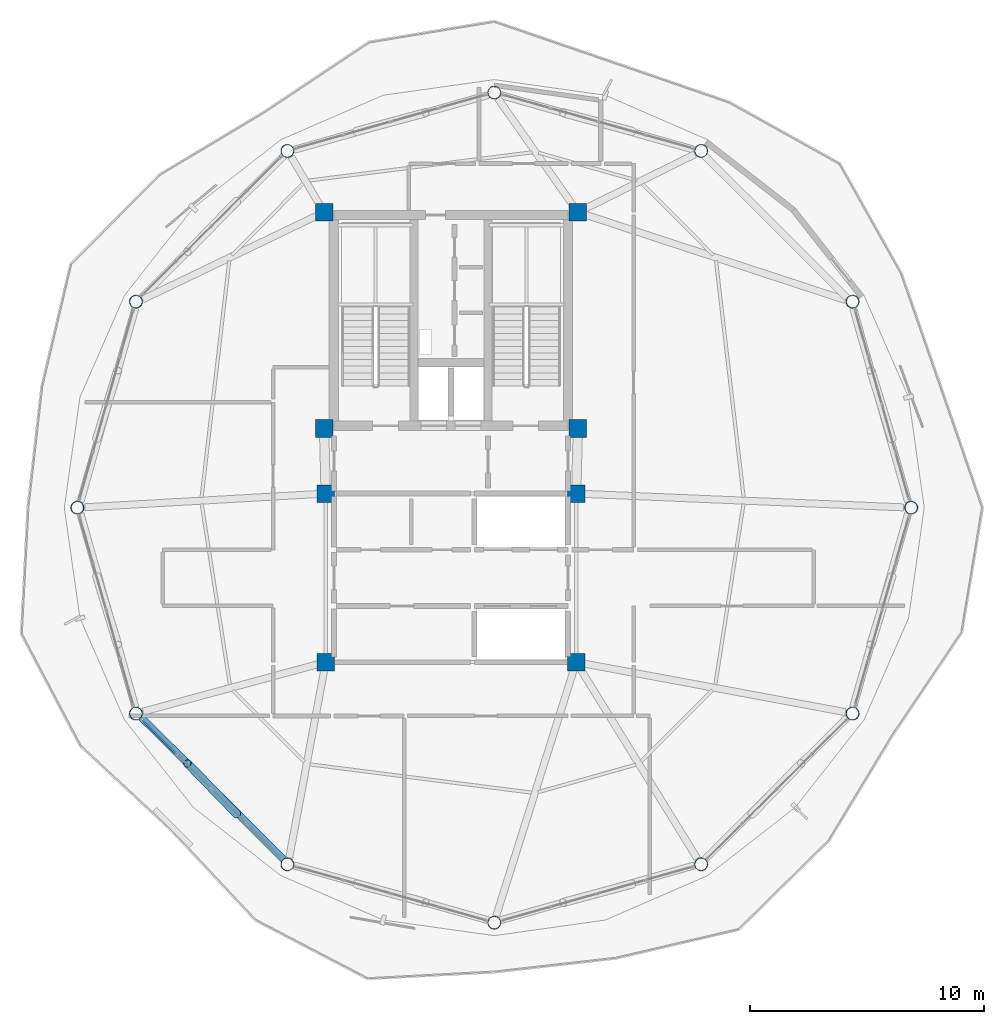
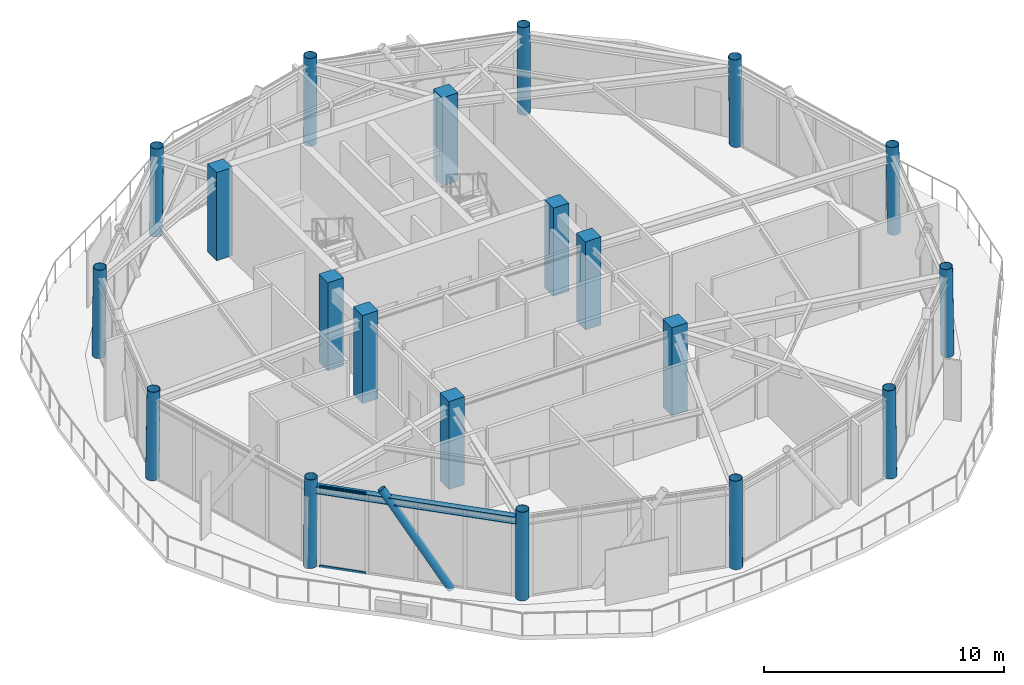
# One storey, part 1 of 24: 20 columns, 3 members, 1 beam, 1 element without a shape of its own.
"""IFC4 building model written with IfcOpenShell, lengths in metres."""

from ifc_helpers import new_model, si_unit, direction, frame, origin, origin_2d, place, context, subcontext, project, spatial, rectangle, hollow_rectangle, hollow_circle, i_section, extrude, material, layer, layer_set, material_profile, profile_set, type_object, element, aggregate, save


model = new_model("IFC4")

# Units and contexts
model_context = context("Model", 3, precision=1e-05, world=origin(), true_north=direction((0.0, 1.0)))
body_context = subcontext(model_context, "Body", "Model", "MODEL_VIEW")
ifc_project = project(units=[si_unit("LENGTHUNIT", "METRE"), si_unit("AREAUNIT", "SQUARE_METRE"), si_unit("VOLUMEUNIT", "CUBIC_METRE"), si_unit("PLANEANGLEUNIT", "RADIAN"), si_unit("MASSUNIT", "GRAM", prefix="KILO")], contexts=[model_context])

# Site, building, storey
site_placement = place(None, origin())
site = spatial("IfcSite", under=ifc_project, at=site_placement, CompositionType="ELEMENT")
building_placement = place(site_placement, origin())
building = spatial("IfcBuilding", under=site, at=building_placement, Name="Varnakorn Sky Granary", CompositionType="ELEMENT")
storey_placement = place(building_placement, frame((0.0, 0.0, 285.0)))
storey = spatial("IfcBuildingStorey", under=building, at=storey_placement, Name="L73", CompositionType="ELEMENT", Elevation=285.0)

# Columns
ifc_material_1 = material(Name="Steel S460M", Category="steel")
ifc_material_profile_1 = material_profile(ifc_material_1, hollow_circle(Radius=0.279541015625, WallThickness=0.02001953125, at=origin_2d()), Name="CHS 559x20")
ifc_profile_set_1 = profile_set([ifc_material_profile_1], Name="Steel S460M")
column_type_1 = type_object("IfcColumnType", Name="COL-DC-Z5", PredefinedType="COLUMN", material=ifc_profile_set_1)
for number, where, z_axis, x_axis, name in (
    (1, (22.66796875, 0.0, 0.0), (-0.015164649907, 0.0, 0.999885010085), (0.0, -1.0, 0.0), "Drum Perimeter Column DC01 L73"),
    (2, (20.163818359375, 8.799560546875, 0.0), (-0.013146612957, -0.003818518286, 0.999906288352), (0.278928739366, -0.960311802674, 0.0), "Drum Perimeter Column DC02 L73"),
):
    element("IfcColumn", number, at=place(storey_placement, frame(where, z_axis=z_axis, x_axis=x_axis)), inside=storey, type_object=column_type_1, Name=name, PredefinedType="COLUMN", context=body_context, shape_type="SweptSolid", body=[
        extrude(hollow_circle(Radius=0.279541015625, WallThickness=0.02001953125, at=origin_2d()), origin(), (0.0, 0.0, 1.0), 4.4755859375),
    ])
for number, where, z_axis, x_axis, name in (
    (3, (13.69140625, 15.2412109375, 0.0), (-0.007582813716, -0.006600866616, 0.999949463471), (0.656581650754, -0.754254954172, 0.0), "Drum Perimeter Column DC03 L73"),
    (4, (4.85009765625, 17.73388671875, 0.0), (0.0, -0.007582978919, 0.999971248802), (1.0, 0.0, 0.0), "Drum Perimeter Column DC04 L73"),
    (5, (-3.991455078125, 15.2412109375, 0.0), (0.007582813716, -0.006600866616, 0.999949463471), (0.656581650754, 0.754254954172, 0.0), "Drum Perimeter Column DC05 L73"),
):
    element("IfcColumn", number, at=place(storey_placement, frame(where, z_axis=z_axis, x_axis=x_axis)), inside=storey, type_object=column_type_1, Name=name, PredefinedType="COLUMN", context=body_context, shape_type="SweptSolid", body=[
        extrude(hollow_circle(Radius=0.279541015625, WallThickness=0.02001953125, at=origin_2d()), origin(), (0.0, 0.0, 1.0), 4.475341796875),
    ])
for number, where, z_axis, x_axis, name in (
    (6, (-10.4638671875, 8.799560546875, 0.0), (0.013146612957, -0.003818518286, 0.999906288352), (0.278928739366, 0.960311802674, 0.0), "Drum Perimeter Column DC06 L73"),
    (7, (-12.968017578125, 0.0, 0.0), (0.015219186396, 0.0, 0.999884181476), (0.0, 1.0, 0.0), "Drum Perimeter Column DC07 L73"),
    (8, (-10.4638671875, -8.799560546875, 0.0), (0.013146612957, 0.003818518286, 0.999906288352), (-0.278928739366, 0.960311802674, 0.0), "Drum Perimeter Column DC08 L73"),
):
    element("IfcColumn", number, at=place(storey_placement, frame(where, z_axis=z_axis, x_axis=x_axis)), inside=storey, type_object=column_type_1, Name=name, PredefinedType="COLUMN", context=body_context, shape_type="SweptSolid", body=[
        extrude(hollow_circle(Radius=0.279541015625, WallThickness=0.02001953125, at=origin_2d()), origin(), (0.0, 0.0, 1.0), 4.4755859375),
    ])
for number, where, z_axis, x_axis, name in (
    (9, (-3.991455078125, -15.2412109375, 0.0), (0.007582813716, 0.006600866616, 0.999949463471), (-0.656581650754, 0.754254954172, 0.0), "Drum Perimeter Column DC09 L73"),
    (10, (4.85009765625, -17.73388671875, 0.0), (0.0, 0.007582978919, 0.999971248802), (-1.0, 0.0, 0.0), "Drum Perimeter Column DC10 L73"),
    (11, (13.69140625, -15.2412109375, 0.0), (-0.007582813716, 0.006600866616, 0.999949463471), (-0.656581650754, -0.754254954172, 0.0), "Drum Perimeter Column DC11 L73"),
):
    element("IfcColumn", number, at=place(storey_placement, frame(where, z_axis=z_axis, x_axis=x_axis)), inside=storey, type_object=column_type_1, Name=name, PredefinedType="COLUMN", context=body_context, shape_type="SweptSolid", body=[
        extrude(hollow_circle(Radius=0.279541015625, WallThickness=0.02001953125, at=origin_2d()), origin(), (0.0, 0.0, 1.0), 4.475341796875),
    ])
column_placement = place(storey_placement, frame((20.163818359375, -8.799560546875, 0.0), z_axis=(-0.013146612957, 0.003818518286, 0.999906288352), x_axis=(-0.278928739366, -0.960311802674, 0.0)))
element("IfcColumn", 12, at=column_placement, inside=storey, type_object=column_type_1, Name="Drum Perimeter Column DC12 L73", PredefinedType="COLUMN", context=body_context, shape_type="SweptSolid", body=[
    extrude(hollow_circle(Radius=0.279541015625, WallThickness=0.02001953125, at=origin_2d()), origin(), (0.0, 0.0, 1.0), 4.4755859375),
])
ifc_material_2 = material(Name="Concrete C50/60", Category="concrete")
ifc_material_profile_2 = material_profile(ifc_material_2, rectangle(XDim=0.75, YDim=0.75, at=origin_2d()), Name="RC 750x750")
ifc_profile_set_2 = profile_set([ifc_material_profile_2], Name="Concrete C50/60")
column_type_2 = type_object("IfcColumnType", Name="COL-MC-Z5", PredefinedType="COLUMN", material=ifc_profile_set_2)
for number, where, z_axis, x_axis, name in (
    (13, (-2.419921875, 12.6201171875, 0.0), (0.0, 0.0, 1.0), (1.0, 0.0, 0.0), "Backbone Mega-Column MC1 L73"),
    (14, (8.419921875, 12.6201171875, 0.0), (0.0, 0.0, 1.0), (1.0, 0.0, 0.0), "Backbone Mega-Column MC2 L73"),
    (15, (-2.419921875, 3.3798828125, 0.0), (0.0, 0.0, 1.0), (1.0, 0.0, 0.0), "Backbone Mega-Column MC3 L73"),
    (16, (8.419921875, 3.3798828125, 0.0), (0.0, 0.0, 1.0), (1.0, 0.0, 0.0), "Backbone Mega-Column MC4 L73"),
    (17, (-2.35009765625, 0.60009765625, 0.0), (0.0, 0.0, 1.0), (1.0, 0.0, 0.0), "Backbone Mega-Column MC5 L73"),
    (18, (8.35009765625, 0.60009765625, 0.0), (0.0, 0.0, 1.0), (1.0, 0.0, 0.0), "Backbone Mega-Column MC6 L73"),
    (19, (-2.35009765625, -6.60009765625, 0.0), (0.0, 0.0, 1.0), (1.0, 0.0, 0.0), "Backbone Mega-Column MC7 L73"),
    (20, (8.35009765625, -6.60009765625, 0.0), (0.0, 0.0, 1.0), (1.0, 0.0, 0.0), "Backbone Mega-Column MC8 L73"),
):
    element("IfcColumn", number, at=place(storey_placement, frame(where, z_axis=z_axis, x_axis=x_axis)), inside=storey, type_object=column_type_2, Name=name, PredefinedType="COLUMN", context=body_context, shape_type="SweptSolid", body=[
        extrude(rectangle(XDim=0.75, YDim=0.75, at=origin_2d()), origin(), (0.0, 0.0, 1.0), 4.47509765625),
    ])

# Beam
ifc_material_3 = material(Name="Steel S355JR", Category="steel")
ifc_material_profile_3 = material_profile(ifc_material_3, i_section(OverallWidth=0.300048828125, OverallDepth=0.360107421875, WebThickness=0.012451171875, FlangeThickness=0.0224609375, at=origin_2d()), Name="HE 360 B")
ifc_profile_set_3 = profile_set([ifc_material_profile_3], Name="Steel S355JR")
beam_type = type_object("IfcBeamType", Name="BM-SPD-Z5", PredefinedType="SPANDREL", material=ifc_profile_set_3)
beam_placement = place(storey_placement, frame((-10.2177734375, -8.96923828125, 3.89990234375), z_axis=(0.708116637558, -0.706095480522, 0.0), x_axis=(0.706095480522, 0.708116637558, 0.0)))
element("IfcBeam", 21, at=beam_placement, inside=storey, type_object=beam_type, Name="Perimeter Spandrel Ring Beam RB08 L73", PredefinedType="SPANDREL", context=body_context, shape_type="SweptSolid", body=[
    extrude(i_section(OverallWidth=0.300048828125, OverallDepth=0.360107421875, WebThickness=0.012451171875, FlangeThickness=0.0224609375, at=origin_2d()), origin(), (0.0, 0.0, 1.0), 8.576171875),
])

# Curtain wall, members
ifc_material_4 = material(Name="Anodised Bronze Aluminium Alloy 6063-T6", Category="aluminium")
ifc_layer = layer(ifc_material_4, 0.159912109375, Name="Anodised Bronze Aluminium Alloy 6063-T6")
ifc_layer_set = layer_set([ifc_layer], Name="Anodised Bronze Aluminium Alloy 6063-T6")
curtain_wall_type = type_object("IfcCurtainWallType", Name="CW-OFF-1", PredefinedType="USERDEFINED", material=ifc_layer_set)
curtain_wall_placement = place(storey_placement, origin())
curtain_wall = element("IfcCurtainWall", 22, at=curtain_wall_placement, inside=storey, type_object=curtain_wall_type, Name="Unitised Curtain Wall CW6 CW-L73-B08", ObjectType="CURTAIN WALL", PredefinedType="USERDEFINED")
ifc_material_profile_4 = material_profile(ifc_material_4, hollow_rectangle(XDim=0.06494140625, YDim=0.1201171875, WallThickness=0.00341796875, at=origin_2d()), Name="ALU TRAN 65x120")
ifc_profile_set_4 = profile_set([ifc_material_profile_4], Name="Anodised Bronze Aluminium Alloy 6063-T6")
member_type_1 = type_object("IfcMemberType", Name="CW-OFF-1-TRAN", PredefinedType="USERDEFINED", material=ifc_profile_set_4)
member_1_placement = place(storey_placement, frame((-8.74853515625, -10.5068359375, 0.032470703125), z_axis=(-0.708800442822, 0.705409053143, 0.0), x_axis=(-0.705409053143, -0.708800442822, 0.0)))
member_1 = element("IfcMember", 23, at=member_1_placement, type_object=member_type_1, Name="CW6 transom 4.1", ObjectType="TRANSOM", PredefinedType="USERDEFINED", context=body_context, shape_type="SweptSolid", body=[
    extrude(hollow_rectangle(XDim=0.06494140625, YDim=0.1201171875, WallThickness=0.00341796875, at=origin_2d()), origin(), (0.0, 0.0, 1.0), 2.015625),
])
member_2_placement = place(storey_placement, frame((-8.74853515625, -10.5068359375, 4.047607421875), z_axis=(-0.708800442822, 0.705409053143, 0.0), x_axis=(-0.705409053143, -0.708800442822, 0.0)))
member_2 = element("IfcMember", 24, at=member_2_placement, type_object=member_type_1, Name="CW6 transom 4.2", ObjectType="TRANSOM", PredefinedType="USERDEFINED", context=body_context, shape_type="SweptSolid", body=[
    extrude(hollow_rectangle(XDim=0.06494140625, YDim=0.1201171875, WallThickness=0.00341796875, at=origin_2d()), origin(), (0.0, 0.0, 1.0), 2.015625),
])
aggregate(curtain_wall, [member_1, member_2])

# Member
ifc_material_profile_5 = material_profile(ifc_material_1, hollow_circle(Radius=0.177734375, WallThickness=0.01416015625, at=origin_2d()), Name="CHS 355.6x14")
ifc_profile_set_5 = profile_set([ifc_material_profile_5], Name="Steel S460M")
member_type_2 = type_object("IfcMemberType", Name="MB-DIAG-T5", PredefinedType="BRACE", material=ifc_profile_set_5)
member_3_placement = place(storey_placement, frame((-6.14892578125, -13.093994140625, -0.1298828125), z_axis=(-0.387460166432, 0.39877418288, 0.831176136867), x_axis=(-0.717207887051, -0.696859273277, 0.0)))
element("IfcMember", 25, at=member_3_placement, inside=storey, type_object=member_type_2, Name="Perimeter CHS Diagrid Brace DG08 L73", PredefinedType="BRACE", context=body_context, shape_type="SweptSolid", body=[
    extrude(hollow_circle(Radius=0.177734375, WallThickness=0.01416015625, at=origin_2d()), origin(), (0.0, 0.0, 1.0), 5.437744140625),
])

save(model, "model.ifc")
